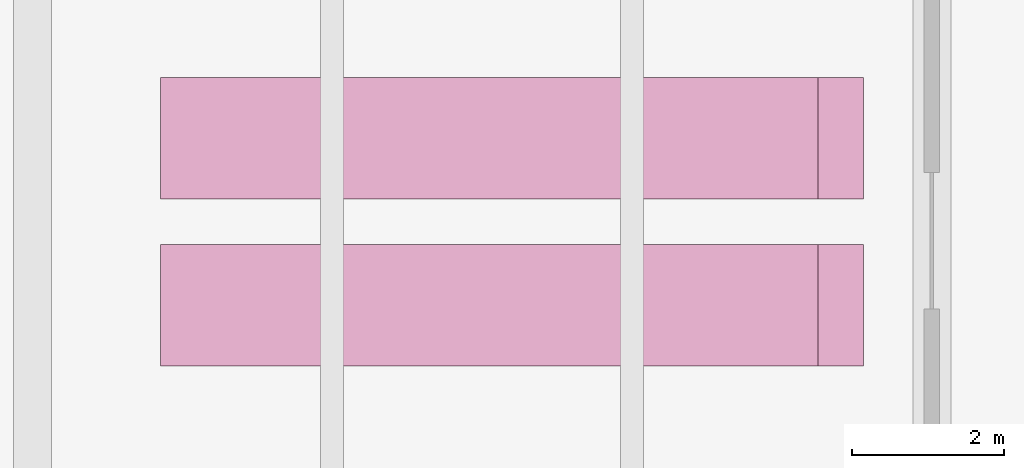
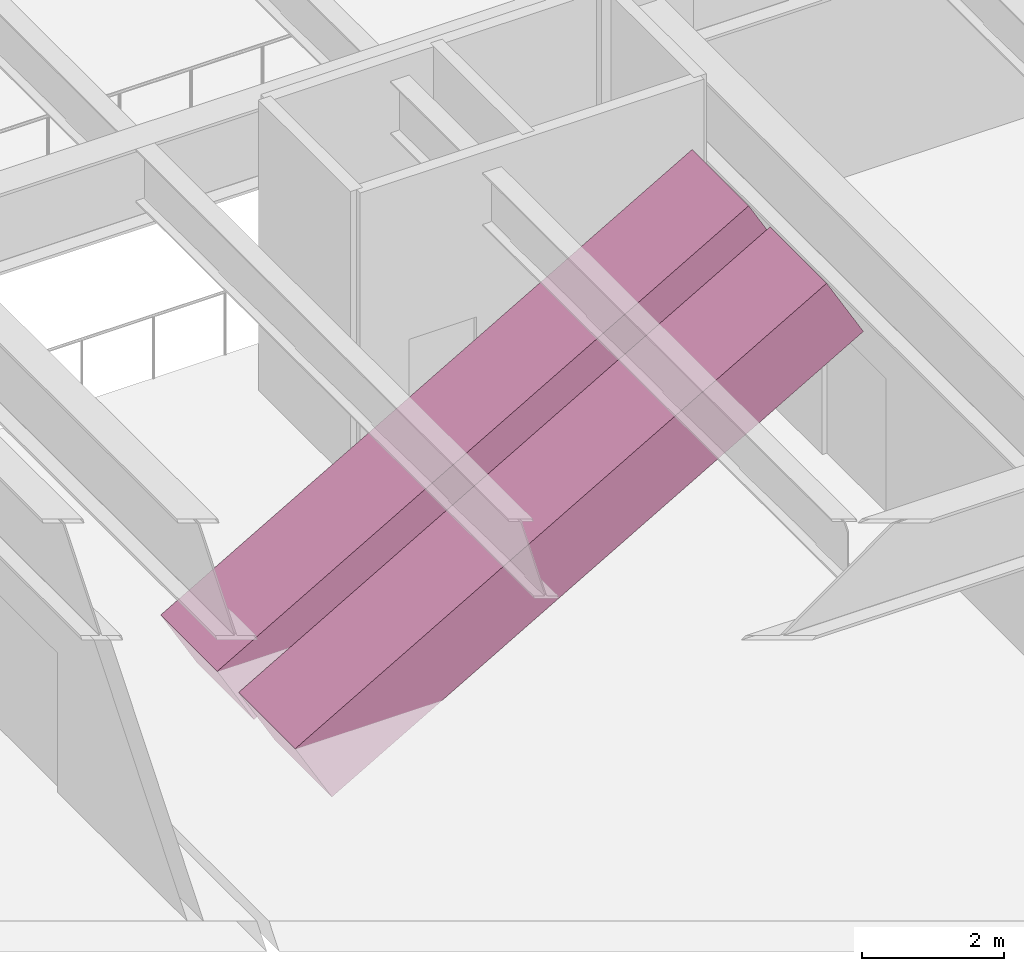
# One storey, part 32 of 32: 2 transport elements.
"""IFC4 building model written with IfcOpenShell, lengths in metres."""

from ifc_helpers import new_model, si_unit, direction, frame, origin, place, context, subcontext, project, spatial, polyline, outline, extrude, material, type_object, element, save


model = new_model("IFC4")

# Units and contexts
model_context = context("Model", 3, precision=1e-05, world=origin(), true_north=direction((0.0, 1.0)))
body_context = subcontext(model_context, "Body", "Model", "MODEL_VIEW")
ifc_project = project(units=[si_unit("LENGTHUNIT", "METRE"), si_unit("AREAUNIT", "SQUARE_METRE"), si_unit("VOLUMEUNIT", "CUBIC_METRE"), si_unit("PLANEANGLEUNIT", "RADIAN"), si_unit("MASSUNIT", "GRAM", prefix="KILO")], contexts=[model_context])

# Site, building, storey
site_placement = place(None, origin())
site = spatial("IfcSite", under=ifc_project, at=site_placement, CompositionType="ELEMENT")
building_placement = place(site_placement, origin())
building = spatial("IfcBuilding", under=site, at=building_placement, Name="Upepo Twin Towers", CompositionType="ELEMENT")
storey_placement = place(building_placement, frame((0.0, 0.0, 10.5)))
storey = spatial("IfcBuildingStorey", under=building, at=storey_placement, Name="L02", CompositionType="ELEMENT", Elevation=10.5)

# Transport elements
ifc_material = material(Name="Steel escalator truss", Category="steel")
transport_element_type = type_object("IfcTransportElementType", Name="Escalator 1000 step, 30 degrees", PredefinedType="ESCALATOR", material=ifc_material)
for number, where, z_axis, x_axis, name in (
    (1, (30.33984375, 18.60009765625, 0.0), (-0.499106209864, 0.0, 0.866540819163), (0.866540819163, 0.0, 0.499106209864), "Escalator L02 1.1"),
    (2, (30.33984375, 20.800048828125, 0.0), (-0.499106209864, 0.0, 0.866540819163), (0.866540819163, 0.0, 0.499106209864), "Escalator L02 1.2"),
):
    element("IfcTransportElement", number, at=place(storey_placement, frame(where, z_axis=z_axis, x_axis=x_axis)), inside=storey, type_object=transport_element_type, Name=name, PredefinedType="ESCALATOR", context=body_context, shape_type="SweptSolid", body=[
        extrude(outline(polyline([(0.0, 0.0), (9.993939187273265, 0.0), (9.993939187273265, 1.599853515625), (0.0, 1.599853515625), (0.0, 0.0)])), origin(), (0.0, 0.0, -1.0), 1.199951171875),
    ])

save(model, "model.ifc")
